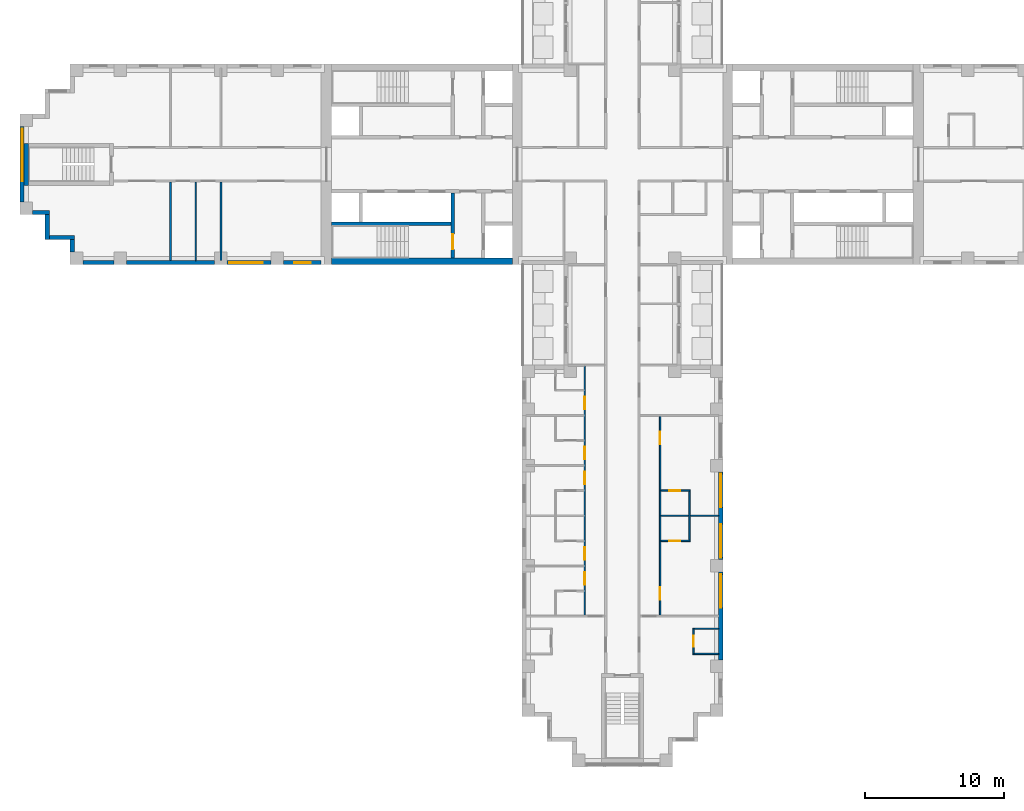
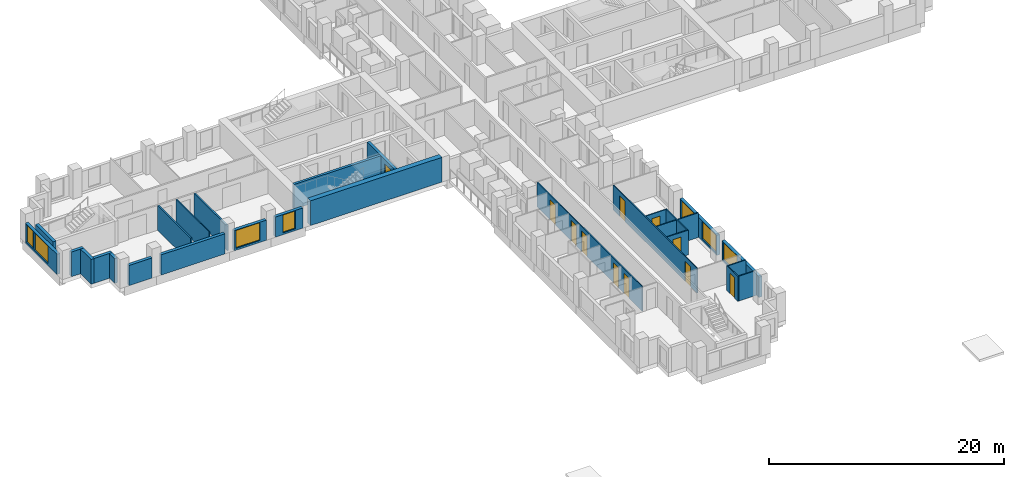
# One storey, part 4 of 15: 27 walls, 11 doors, 7 windows, 18 openings.
"""IFC4 building model written with IfcOpenShell, lengths in metres."""

from ifc_helpers import new_model, si_unit, direction, frame, frame_2d, origin, place, context, subcontext, project, spatial, rectangle, extrude, material, layer, layer_set, type_object, element, fill, save


model = new_model("IFC4")

# Units and contexts
model_context = context("Model", 3, precision=1e-05, world=origin(), true_north=direction((0.0, 1.0)))
body_context = subcontext(model_context, "Body", "Model", "MODEL_VIEW")
ifc_project = project(units=[si_unit("LENGTHUNIT", "METRE"), si_unit("AREAUNIT", "SQUARE_METRE"), si_unit("VOLUMEUNIT", "CUBIC_METRE"), si_unit("PLANEANGLEUNIT", "RADIAN"), si_unit("MASSUNIT", "GRAM", prefix="KILO")], contexts=[model_context])

# Site, building, storey
site_placement = place(None, origin())
site = spatial("IfcSite", under=ifc_project, at=site_placement, CompositionType="ELEMENT")
building_placement = place(site_placement, origin())
building = spatial("IfcBuilding", under=site, at=building_placement, Name="Fustian Cross Tower", CompositionType="ELEMENT")
storey_placement = place(building_placement, frame((0.0, 0.0, 11.699951171875)))
storey = spatial("IfcBuildingStorey", under=building, at=storey_placement, Name="L02", CompositionType="ELEMENT", Elevation=11.699951171875)

# Walls
ifc_material_1 = material(Name="Plasterboard on steel stud", Category="steel")
ifc_layer_1 = layer(ifc_material_1, 0.14990234375)
ifc_layer_set_1 = layer_set([ifc_layer_1], Name="Plasterboard on steel stud")
wall_type_1 = type_object("IfcWallType", Name="COMPARTMENT WALL 150 EI 60", PredefinedType="PARTITIONING", material=ifc_layer_set_1)
for number, where, z_axis, x_axis, name in (
    (1, (-32.39990234375, -6.89990234375, 0.0), (0.0, 0.0, 1.0), (0.0, 1.0, 0.0), "Partition 3"),
    (2, (-28.800048828125, -6.89990234375, 0.0), (0.0, 0.0, 1.0), (0.0, 1.0, 0.0), "Partition 6"),
):
    element("IfcWall", number, at=place(storey_placement, frame(where, z_axis=z_axis, x_axis=x_axis)), inside=storey, type_object=wall_type_1, Name=name, PredefinedType="PARTITIONING", context=body_context, shape_type="SweptSolid", body=[
        extrude(rectangle(XDim=5.625, YDim=0.14990234375, at=frame_2d((2.8125, 0.0))), origin(), (0.0, 0.0, 1.0), 2.574951171875),
    ])
ifc_material_2 = material(Name="Concrete C80/95", Category="concrete")
ifc_layer_2 = layer(ifc_material_2, 0.5)
ifc_layer_set_2 = layer_set([ifc_layer_2], Name="Concrete C80/95")
wall_type_2 = type_object("IfcWallType", Name="CORE FACADE WALL 500 C80/95", PredefinedType="SHEAR", material=ifc_layer_set_2)
wall_1_placement = place(storey_placement, frame((-7.89990234375, -6.949951171875, 0.0), z_axis=(0.0, 0.0, 1.0), x_axis=(-1.0, 0.0, 0.0)))
element("IfcWall", 3, at=wall_1_placement, inside=storey, type_object=wall_type_2, Name="Core facade wall", PredefinedType="SHEAR", context=body_context, shape_type="SweptSolid", body=[
    extrude(rectangle(XDim=12.9501953125, YDim=0.5, at=frame_2d((6.47509765625, 0.0))), origin(), (0.0, 0.0, 1.0), 2.574951171875),
])
ifc_material_3 = material(Name="Concrete C50/60", Category="concrete")
ifc_layer_3 = layer(ifc_material_3, 0.25)
ifc_layer_set_3 = layer_set([ifc_layer_3], Name="Concrete C50/60")
wall_type_3 = type_object("IfcWallType", Name="CORE SHAFT WALL 250 C50/60", PredefinedType="SHEAR", material=ifc_layer_set_3)
wall_2_placement = place(storey_placement, frame((-12.300048828125, -4.27490234375, 0.0), z_axis=(0.0, 0.0, 1.0), x_axis=(-1.0, 0.0, 0.0)))
element("IfcWall", 4, at=wall_2_placement, inside=storey, type_object=wall_type_3, Name="Core shaft wall", PredefinedType="SHEAR", context=body_context, shape_type="SweptSolid", body=[
    extrude(rectangle(XDim=8.550048828125, YDim=0.25, at=frame_2d((4.27490234375, 0.0))), origin(), (0.0, 0.0, 1.0), 2.574951171875),
])

# Wall, opening, door
wall_3_placement = place(storey_placement, frame((-12.175048828125, -2.050048828125, 0.0), z_axis=(0.0, 0.0, 1.0), x_axis=(0.0, -1.0, 0.0)))
wall_3 = element("IfcWall", 5, at=wall_3_placement, inside=storey, type_object=wall_type_3, Name="Core shaft wall", PredefinedType="SHEAR", context=body_context, shape_type="SweptSolid", body=[
    extrude(rectangle(XDim=4.64990234375, YDim=0.25, at=frame_2d((2.324951171875, 0.0))), origin(), (0.0, 0.0, 1.0), 2.574951171875),
])
opening_1_placement = place(wall_3_placement, frame((2.949951171875, 0.0, 0.0)))
opening_1 = element("IfcOpeningElement", 6, at=opening_1_placement, cuts=wall_3, Name="Opening CD-04-21", PredefinedType="OPENING", context=body_context, shape_type="SweptSolid", body=[
    extrude(rectangle(XDim=1.10009765625, YDim=2.10009765625, at=frame_2d((0.550048828125, 1.050048828125))), frame((0.0, 0.135009765625, 0.0), z_axis=(0.0, -1.0, 0.0), x_axis=(1.0, 0.0, 0.0)), (0.0, 0.0, 1.0), 0.27001953125),
])
ifc_material_4 = material(Name="Steel", Category="steel")
door_type_1 = type_object("IfcDoorType", Name="FIRE DOOR FD60S 1100X2100", OperationType="SINGLE_SWING_LEFT", PredefinedType="DOOR", material=ifc_material_4)
door_1_placement = place(opening_1_placement, frame((1.10009765625, 0.0, 0.0), z_axis=(0.0, 0.0, 1.0), x_axis=(-1.0, 0.0, 0.0)))
door_1 = element("IfcDoor", 7, at=door_1_placement, inside=storey, type_object=door_type_1, Name="Core door CD-04-21", OperationType="SINGLE_SWING_RIGHT", OverallHeight=2.10009765625, OverallWidth=1.10009765625, PredefinedType="DOOR", context=body_context, shape_type="SweptSolid", body=[
    extrude(rectangle(XDim=1.10009765625, YDim=2.10009765625, at=frame_2d((0.550048828125, 1.050048828125))), frame((0.0, 0.02490234375, 0.0), z_axis=(0.0, -1.0, 0.0), x_axis=(1.0, 0.0, 0.0)), (0.0, 0.0, 1.0), 0.050048828125),
])
fill(opening_1, door_1)

# Wall
ifc_material_5 = material(Name="Plasterboard on steel stud", Category="steel")
ifc_layer_4 = layer(ifc_material_5, 0.10009765625)
ifc_layer_set_4 = layer_set([ifc_layer_4], Name="Plasterboard on steel stud")
wall_type_4 = type_object("IfcWallType", Name="PARTITION 100 STUD", PredefinedType="PARTITIONING", material=ifc_layer_set_4)
wall_4_placement = place(storey_placement, frame((-30.60009765625, -6.89990234375, 0.0), z_axis=(0.0, 0.0, 1.0), x_axis=(0.0, 1.0, 0.0)))
element("IfcWall", 8, at=wall_4_placement, inside=storey, type_object=wall_type_4, Name="Partition 5", PredefinedType="PARTITIONING", context=body_context, shape_type="SweptSolid", body=[
    extrude(rectangle(XDim=5.625, YDim=0.10009765625, at=frame_2d((2.8125, 0.0))), origin(), (0.0, 0.0, 1.0), 2.574951171875),
])

# Wall, openings, doors
wall_5_placement = place(storey_placement, frame((-2.699951171875, -32.35009765625, 0.0), z_axis=(0.0, 0.0, 1.0), x_axis=(0.0, 1.0, 0.0)))
wall_5 = element("IfcWall", 9, at=wall_5_placement, inside=storey, type_object=wall_type_4, Name="Partition 50", PredefinedType="PARTITIONING", context=body_context, shape_type="SweptSolid", body=[
    extrude(rectangle(XDim=17.8876953125, YDim=0.10009765625, at=frame_2d((8.94384765625, 0.0))), origin(), (0.0, 0.0, 1.0), 2.574951171875),
])
opening_2_placement = place(wall_5_placement, frame((2.199951171875, 0.0, 0.0)))
opening_2 = element("IfcOpeningElement", 10, at=opening_2_placement, cuts=wall_5, Name="Opening D04068", PredefinedType="OPENING", context=body_context, shape_type="SweptSolid", body=[
    extrude(rectangle(XDim=0.89990234375, YDim=2.10009765625, at=frame_2d((0.449951171875, 1.050048828125))), frame((0.0, 0.06005859375, 0.0), z_axis=(0.0, -1.0, 0.0), x_axis=(1.0, 0.0, 0.0)), (0.0, 0.0, 1.0), 0.1201171875),
])
opening_3_placement = place(wall_5_placement, frame((4.0, 0.0, 0.0)))
opening_3 = element("IfcOpeningElement", 11, at=opening_3_placement, cuts=wall_5, Name="Opening D04069", PredefinedType="OPENING", context=body_context, shape_type="SweptSolid", body=[
    extrude(rectangle(XDim=0.89990234375, YDim=2.10009765625, at=frame_2d((0.449951171875, 1.050048828125))), frame((0.0, 0.06005859375, 0.0), z_axis=(0.0, -1.0, 0.0), x_axis=(1.0, 0.0, 0.0)), (0.0, 0.0, 1.0), 0.1201171875),
])
opening_4_placement = place(wall_5_placement, frame((9.39990234375, 0.0, 0.0)))
opening_4 = element("IfcOpeningElement", 12, at=opening_4_placement, cuts=wall_5, Name="Opening D04070", PredefinedType="OPENING", context=body_context, shape_type="SweptSolid", body=[
    extrude(rectangle(XDim=0.89990234375, YDim=2.10009765625, at=frame_2d((0.449951171875, 1.050048828125))), frame((0.0, 0.06005859375, 0.0), z_axis=(0.0, -1.0, 0.0), x_axis=(1.0, 0.0, 0.0)), (0.0, 0.0, 1.0), 0.1201171875),
])
opening_5_placement = place(wall_5_placement, frame((11.199951171875, 0.0, 0.0)))
opening_5 = element("IfcOpeningElement", 13, at=opening_5_placement, cuts=wall_5, Name="Opening D04071", PredefinedType="OPENING", context=body_context, shape_type="SweptSolid", body=[
    extrude(rectangle(XDim=0.89990234375, YDim=2.10009765625, at=frame_2d((0.449951171875, 1.050048828125))), frame((0.0, 0.06005859375, 0.0), z_axis=(0.0, -1.0, 0.0), x_axis=(1.0, 0.0, 0.0)), (0.0, 0.0, 1.0), 0.1201171875),
])
opening_6_placement = place(wall_5_placement, frame((14.800048828125, 0.0, 0.0)))
opening_6 = element("IfcOpeningElement", 14, at=opening_6_placement, cuts=wall_5, Name="Opening D04072", PredefinedType="OPENING", context=body_context, shape_type="SweptSolid", body=[
    extrude(rectangle(XDim=0.89990234375, YDim=2.10009765625, at=frame_2d((0.449951171875, 1.050048828125))), frame((0.0, 0.06005859375, 0.0), z_axis=(0.0, -1.0, 0.0), x_axis=(1.0, 0.0, 0.0)), (0.0, 0.0, 1.0), 0.1201171875),
])
ifc_material_6 = material(Name="Painted timber", Category="wood")
door_type_2 = type_object("IfcDoorType", Name="SWING DOOR 900", OperationType="SINGLE_SWING_LEFT", PredefinedType="DOOR", material=ifc_material_6)
door_2_placement = place(opening_2_placement, origin())
door_2 = element("IfcDoor", 15, at=door_2_placement, inside=storey, type_object=door_type_2, Name="Door D04068", OperationType="SINGLE_SWING_LEFT", OverallHeight=2.10009765625, OverallWidth=0.89990234375, PredefinedType="DOOR", context=body_context, shape_type="SweptSolid", body=[
    extrude(rectangle(XDim=0.89990234375, YDim=2.10009765625, at=frame_2d((0.449951171875, 1.050048828125))), frame((0.0, 0.02490234375, 0.0), z_axis=(0.0, -1.0, 0.0), x_axis=(1.0, 0.0, 0.0)), (0.0, 0.0, 1.0), 0.050048828125),
])
fill(opening_2, door_2)
door_3_placement = place(opening_3_placement, origin())
door_3 = element("IfcDoor", 16, at=door_3_placement, inside=storey, type_object=door_type_2, Name="Door D04069", OperationType="SINGLE_SWING_LEFT", OverallHeight=2.10009765625, OverallWidth=0.89990234375, PredefinedType="DOOR", context=body_context, shape_type="SweptSolid", body=[
    extrude(rectangle(XDim=0.89990234375, YDim=2.10009765625, at=frame_2d((0.449951171875, 1.050048828125))), frame((0.0, 0.02490234375, 0.0), z_axis=(0.0, -1.0, 0.0), x_axis=(1.0, 0.0, 0.0)), (0.0, 0.0, 1.0), 0.050048828125),
])
fill(opening_3, door_3)
door_4_placement = place(opening_4_placement, origin())
door_4 = element("IfcDoor", 17, at=door_4_placement, inside=storey, type_object=door_type_2, Name="Door D04070", OperationType="SINGLE_SWING_LEFT", OverallHeight=2.10009765625, OverallWidth=0.89990234375, PredefinedType="DOOR", context=body_context, shape_type="SweptSolid", body=[
    extrude(rectangle(XDim=0.89990234375, YDim=2.10009765625, at=frame_2d((0.449951171875, 1.050048828125))), frame((0.0, 0.02490234375, 0.0), z_axis=(0.0, -1.0, 0.0), x_axis=(1.0, 0.0, 0.0)), (0.0, 0.0, 1.0), 0.050048828125),
])
fill(opening_4, door_4)
door_5_placement = place(opening_5_placement, origin())
door_5 = element("IfcDoor", 18, at=door_5_placement, inside=storey, type_object=door_type_2, Name="Door D04071", OperationType="SINGLE_SWING_LEFT", OverallHeight=2.10009765625, OverallWidth=0.89990234375, PredefinedType="DOOR", context=body_context, shape_type="SweptSolid", body=[
    extrude(rectangle(XDim=0.89990234375, YDim=2.10009765625, at=frame_2d((0.449951171875, 1.050048828125))), frame((0.0, 0.02490234375, 0.0), z_axis=(0.0, -1.0, 0.0), x_axis=(1.0, 0.0, 0.0)), (0.0, 0.0, 1.0), 0.050048828125),
])
fill(opening_5, door_5)
door_6_placement = place(opening_6_placement, origin())
door_6 = element("IfcDoor", 19, at=door_6_placement, inside=storey, type_object=door_type_2, Name="Door D04072", OperationType="SINGLE_SWING_LEFT", OverallHeight=2.10009765625, OverallWidth=0.89990234375, PredefinedType="DOOR", context=body_context, shape_type="SweptSolid", body=[
    extrude(rectangle(XDim=0.89990234375, YDim=2.10009765625, at=frame_2d((0.449951171875, 1.050048828125))), frame((0.0, 0.02490234375, 0.0), z_axis=(0.0, -1.0, 0.0), x_axis=(1.0, 0.0, 0.0)), (0.0, 0.0, 1.0), 0.050048828125),
])
fill(opening_6, door_6)

wall_6_placement = place(storey_placement, frame((2.699951171875, -32.35009765625, 0.0), z_axis=(0.0, 0.0, 1.0), x_axis=(0.0, 1.0, 0.0)))
wall_6 = element("IfcWall", 20, at=wall_6_placement, inside=storey, type_object=wall_type_4, Name="Partition 70", PredefinedType="PARTITIONING", context=body_context, shape_type="SweptSolid", body=[
    extrude(rectangle(XDim=14.300048828125, YDim=0.10009765625, at=frame_2d((7.14990234375, 0.0))), origin(), (0.0, 0.0, 1.0), 2.574951171875),
])
opening_7_placement = place(wall_6_placement, frame((1.1201171875, 0.0, 0.0)))
opening_7 = element("IfcOpeningElement", 21, at=opening_7_placement, cuts=wall_6, Name="Opening D04061", PredefinedType="OPENING", context=body_context, shape_type="SweptSolid", body=[
    extrude(rectangle(XDim=0.89990234375, YDim=2.10009765625, at=frame_2d((0.449951171875, 1.050048828125))), frame((0.0, 0.06005859375, 0.0), z_axis=(0.0, -1.0, 0.0), x_axis=(1.0, 0.0, 0.0)), (0.0, 0.0, 1.0), 0.1201171875),
])
opening_8_placement = place(wall_6_placement, frame((12.280029296875, 0.0, 0.0)))
opening_8 = element("IfcOpeningElement", 22, at=opening_8_placement, cuts=wall_6, Name="Opening D04062", PredefinedType="OPENING", context=body_context, shape_type="SweptSolid", body=[
    extrude(rectangle(XDim=0.89990234375, YDim=2.10009765625, at=frame_2d((0.449951171875, 1.050048828125))), frame((0.0, 0.06005859375, 0.0), z_axis=(0.0, -1.0, 0.0), x_axis=(1.0, 0.0, 0.0)), (0.0, 0.0, 1.0), 0.1201171875),
])
door_7_placement = place(opening_7_placement, origin())
door_7 = element("IfcDoor", 23, at=door_7_placement, inside=storey, type_object=door_type_2, Name="Door D04061", OperationType="SINGLE_SWING_LEFT", OverallHeight=2.10009765625, OverallWidth=0.89990234375, PredefinedType="DOOR", context=body_context, shape_type="SweptSolid", body=[
    extrude(rectangle(XDim=0.89990234375, YDim=2.10009765625, at=frame_2d((0.449951171875, 1.050048828125))), frame((0.0, 0.02490234375, 0.0), z_axis=(0.0, -1.0, 0.0), x_axis=(1.0, 0.0, 0.0)), (0.0, 0.0, 1.0), 0.050048828125),
])
fill(opening_7, door_7)
door_8_placement = place(opening_8_placement, origin())
door_8 = element("IfcDoor", 24, at=door_8_placement, inside=storey, type_object=door_type_2, Name="Door D04062", OperationType="SINGLE_SWING_RIGHT", OverallHeight=2.10009765625, OverallWidth=0.89990234375, PredefinedType="DOOR", context=body_context, shape_type="SweptSolid", body=[
    extrude(rectangle(XDim=0.89990234375, YDim=2.10009765625, at=frame_2d((0.449951171875, 1.050048828125))), frame((0.0, 0.02490234375, 0.0), z_axis=(0.0, -1.0, 0.0), x_axis=(1.0, 0.0, 0.0)), (0.0, 0.0, 1.0), 0.050048828125),
])
fill(opening_8, door_8)

# Wall, opening, door
wall_7_placement = place(storey_placement, frame((2.75, -27.0, 0.0), z_axis=(0.0, 0.0, 1.0), x_axis=(1.0, 0.0, 0.0)))
wall_7 = element("IfcWall", 25, at=wall_7_placement, inside=storey, type_object=wall_type_4, Name="Partition 71", PredefinedType="PARTITIONING", context=body_context, shape_type="SweptSolid", body=[
    extrude(rectangle(XDim=2.10009765625, YDim=0.10009765625, at=frame_2d((1.050048828125, 0.0))), origin(), (0.0, 0.0, 1.0), 2.574951171875),
])
opening_9_placement = place(wall_7_placement, frame((0.60009765625, 0.0, 0.0)))
opening_9 = element("IfcOpeningElement", 26, at=opening_9_placement, cuts=wall_7, Name="Opening D04064", PredefinedType="OPENING", context=body_context, shape_type="SweptSolid", body=[
    extrude(rectangle(XDim=0.800048828125, YDim=2.10009765625, at=frame_2d((0.39990234375, 1.050048828125))), frame((0.0, 0.06005859375, 0.0), z_axis=(0.0, -1.0, 0.0), x_axis=(1.0, 0.0, 0.0)), (0.0, 0.0, 1.0), 0.1201171875),
])
ifc_material_7 = material(Name="Painted timber", Category="wood")
door_type_3 = type_object("IfcDoorType", Name="SWING DOOR 800", OperationType="SINGLE_SWING_LEFT", PredefinedType="DOOR", material=ifc_material_7)
door_9_placement = place(opening_9_placement, origin())
door_9 = element("IfcDoor", 27, at=door_9_placement, inside=storey, type_object=door_type_3, Name="Door D04064", OperationType="SINGLE_SWING_LEFT", OverallHeight=2.10009765625, OverallWidth=0.800048828125, PredefinedType="DOOR", context=body_context, shape_type="SweptSolid", body=[
    extrude(rectangle(XDim=0.800048828125, YDim=2.10009765625, at=frame_2d((0.39990234375, 1.050048828125))), frame((0.0, 0.02490234375, 0.0), z_axis=(0.0, -1.0, 0.0), x_axis=(1.0, 0.0, 0.0)), (0.0, 0.0, 1.0), 0.050048828125),
])
fill(opening_9, door_9)

# Wall
wall_8_placement = place(storey_placement, frame((2.75, -25.199951171875, 0.0), z_axis=(0.0, 0.0, 1.0), x_axis=(1.0, 0.0, 0.0)))
element("IfcWall", 28, at=wall_8_placement, inside=storey, type_object=wall_type_4, Name="Partition 72", PredefinedType="PARTITIONING", context=body_context, shape_type="SweptSolid", body=[
    extrude(rectangle(XDim=4.14990234375, YDim=0.10009765625, at=frame_2d((2.074951171875, 0.0))), origin(), (0.0, 0.0, 1.0), 2.574951171875),
])

# Wall, opening, door
wall_9_placement = place(storey_placement, frame((2.75, -23.39990234375, 0.0), z_axis=(0.0, 0.0, 1.0), x_axis=(1.0, 0.0, 0.0)))
wall_9 = element("IfcWall", 29, at=wall_9_placement, inside=storey, type_object=wall_type_4, Name="Partition 73", PredefinedType="PARTITIONING", context=body_context, shape_type="SweptSolid", body=[
    extrude(rectangle(XDim=2.10009765625, YDim=0.10009765625, at=frame_2d((1.050048828125, 0.0))), origin(), (0.0, 0.0, 1.0), 2.574951171875),
])
opening_10_placement = place(wall_9_placement, frame((0.60009765625, 0.0, 0.0)))
opening_10 = element("IfcOpeningElement", 30, at=opening_10_placement, cuts=wall_9, Name="Opening D04063", PredefinedType="OPENING", context=body_context, shape_type="SweptSolid", body=[
    extrude(rectangle(XDim=0.800048828125, YDim=2.10009765625, at=frame_2d((0.39990234375, 1.050048828125))), frame((0.0, 0.06005859375, 0.0), z_axis=(0.0, -1.0, 0.0), x_axis=(1.0, 0.0, 0.0)), (0.0, 0.0, 1.0), 0.1201171875),
])
door_10_placement = place(opening_10_placement, frame((0.800048828125, 0.0, 0.0), z_axis=(0.0, 0.0, 1.0), x_axis=(-1.0, 0.0, 0.0)))
door_10 = element("IfcDoor", 31, at=door_10_placement, inside=storey, type_object=door_type_3, Name="Door D04063", OperationType="SINGLE_SWING_RIGHT", OverallHeight=2.10009765625, OverallWidth=0.800048828125, PredefinedType="DOOR", context=body_context, shape_type="SweptSolid", body=[
    extrude(rectangle(XDim=0.800048828125, YDim=2.10009765625, at=frame_2d((0.39990234375, 1.050048828125))), frame((0.0, 0.02490234375, 0.0), z_axis=(0.0, -1.0, 0.0), x_axis=(1.0, 0.0, 0.0)), (0.0, 0.0, 1.0), 0.050048828125),
])
fill(opening_10, door_10)

# Wall
wall_10_placement = place(storey_placement, frame((4.800048828125, -26.949951171875, 0.0), z_axis=(0.0, 0.0, 1.0), x_axis=(0.0, 1.0, 0.0)))
element("IfcWall", 32, at=wall_10_placement, inside=storey, type_object=wall_type_4, Name="Partition 87", PredefinedType="PARTITIONING", context=body_context, shape_type="SweptSolid", body=[
    extrude(rectangle(XDim=3.5, YDim=0.10009765625, at=frame_2d((1.75, 0.0))), origin(), (0.0, 0.0, 1.0), 2.574951171875),
])

# Wall, opening, door
wall_11_placement = place(storey_placement, frame((5.10009765625, -35.14990234375, 0.0), z_axis=(0.0, 0.0, 1.0), x_axis=(0.0, 1.0, 0.0)))
wall_11 = element("IfcWall", 33, at=wall_11_placement, inside=storey, type_object=wall_type_4, Name="Partition 92", PredefinedType="PARTITIONING", context=body_context, shape_type="SweptSolid", body=[
    extrude(rectangle(XDim=1.89990234375, YDim=0.10009765625, at=frame_2d((0.949951171875, 0.0))), origin(), (0.0, 0.0, 1.0), 2.574951171875),
])
opening_11_placement = place(wall_11_placement, frame((0.550048828125, 0.0, 0.0)))
opening_11 = element("IfcOpeningElement", 34, at=opening_11_placement, cuts=wall_11, Name="Opening D04058", PredefinedType="OPENING", context=body_context, shape_type="SweptSolid", body=[
    extrude(rectangle(XDim=0.800048828125, YDim=2.10009765625, at=frame_2d((0.39990234375, 1.050048828125))), frame((0.0, 0.06005859375, 0.0), z_axis=(0.0, -1.0, 0.0), x_axis=(1.0, 0.0, 0.0)), (0.0, 0.0, 1.0), 0.1201171875),
])
door_11_placement = place(opening_11_placement, frame((0.800048828125, 0.0, 0.0), z_axis=(0.0, 0.0, 1.0), x_axis=(-1.0, 0.0, 0.0)))
door_11 = element("IfcDoor", 35, at=door_11_placement, inside=storey, type_object=door_type_3, Name="Door D04058", OperationType="SINGLE_SWING_LEFT", OverallHeight=2.10009765625, OverallWidth=0.800048828125, PredefinedType="DOOR", context=body_context, shape_type="SweptSolid", body=[
    extrude(rectangle(XDim=0.800048828125, YDim=2.10009765625, at=frame_2d((0.39990234375, 1.050048828125))), frame((0.0, 0.02490234375, 0.0), z_axis=(0.0, -1.0, 0.0), x_axis=(1.0, 0.0, 0.0)), (0.0, 0.0, 1.0), 0.050048828125),
])
fill(opening_11, door_11)

# Walls
for number, where, z_axis, x_axis, name in (
    (36, (5.14990234375, -35.10009765625, 0.0), (0.0, 0.0, 1.0), (1.0, 0.0, 0.0), "Partition 93"),
    (37, (5.14990234375, -33.300048828125, 0.0), (0.0, 0.0, 1.0), (1.0, 0.0, 0.0), "Partition 94"),
):
    element("IfcWall", number, at=place(storey_placement, frame(where, z_axis=z_axis, x_axis=x_axis)), inside=storey, type_object=wall_type_4, Name=name, PredefinedType="PARTITIONING", context=body_context, shape_type="SweptSolid", body=[
        extrude(rectangle(XDim=1.75, YDim=0.10009765625, at=frame_2d((0.875, 0.0))), origin(), (0.0, 0.0, 1.0), 2.574951171875),
    ])
ifc_material_8 = material(Name="Concrete C50/60", Category="concrete")
ifc_layer_5 = layer(ifc_material_8, 0.300048828125)
ifc_layer_set_5 = layer_set([ifc_layer_5], Name="Concrete C50/60")
wall_type_5 = type_object("IfcWallType", Name="STAIR ENCLOSURE WALL 300 C50/60", PredefinedType="SHEAR", material=ifc_layer_set_5)
wall_12_placement = place(storey_placement, frame((-42.75, -1.5, 0.0), z_axis=(0.0, 0.0, 1.0), x_axis=(0.0, 1.0, 0.0)))
element("IfcWall", 38, at=wall_12_placement, inside=storey, type_object=wall_type_5, Name="Stair enclosure wall", PredefinedType="SHEAR", context=body_context, shape_type="SweptSolid", body=[
    extrude(rectangle(XDim=3.0, YDim=0.300048828125, at=frame_2d((1.5, 0.0))), origin(), (0.0, 0.0, 1.0), 2.574951171875),
])

# Wall, openings, windows
ifc_material_9 = material(Name="Dark aluminium cladding on insulated backing wall", Category="aluminium")
ifc_layer_6 = layer(ifc_material_9, 0.300048828125)
ifc_layer_set_6 = layer_set([ifc_layer_6], Name="Dark aluminium cladding on insulated backing wall")
wall_type_6 = type_object("IfcWallType", Name="XW1 EXTERNAL WALL 300", PredefinedType="SOLIDWALL", material=ifc_layer_set_6)
wall_13_placement = place(storey_placement, frame((-43.050048828125, 2.699951171875, 0.0), z_axis=(0.0, 0.0, 1.0), x_axis=(0.0, -1.0, 0.0)))
wall_13 = element("IfcWall", 39, at=wall_13_placement, inside=storey, type_object=wall_type_6, Name="External wall", PredefinedType="SOLIDWALL", context=body_context, shape_type="SweptSolid", body=[
    extrude(rectangle(XDim=5.39990234375, YDim=0.300048828125, at=frame_2d((2.699951171875, 0.0))), origin(), (0.0, 0.0, 1.0), 2.10009765625),
])
opening_12_placement = place(wall_13_placement, frame((1.5, 0.0, 0.199951171875)))
opening_12 = element("IfcOpeningElement", 40, at=opening_12_placement, cuts=wall_13, Name="Opening WN1", PredefinedType="OPENING", context=body_context, shape_type="SweptSolid", body=[
    extrude(rectangle(XDim=2.39990234375, YDim=1.85009765625, at=frame_2d((1.199951171875, 0.925048828125))), frame((0.0, 0.159912109375, 0.0), z_axis=(0.0, -1.0, 0.0), x_axis=(1.0, 0.0, 0.0)), (0.0, 0.0, 1.0), 0.320068359375),
])
opening_13_placement = place(wall_13_placement, frame((0.14990234375, 0.0, 0.199951171875)))
opening_13 = element("IfcOpeningElement", 41, at=opening_13_placement, cuts=wall_13, Name="Opening WN3", PredefinedType="OPENING", context=body_context, shape_type="SweptSolid", body=[
    extrude(rectangle(XDim=1.199951171875, YDim=1.85009765625, at=frame_2d((0.60009765625, 0.925048828125))), frame((0.0, 0.159912109375, 0.0), z_axis=(0.0, -1.0, 0.0), x_axis=(1.0, 0.0, 0.0)), (0.0, 0.0, 1.0), 0.320068359375),
])
ifc_material_10 = material(Name="Dark anodised aluminium and double glazing", Category="aluminium")
window_type_1 = type_object("IfcWindowType", Name="WN1 WINDOW 2400X1850", PartitioningType="SINGLE_PANEL", PredefinedType="WINDOW", material=ifc_material_10)
window_1_placement = place(opening_12_placement, origin())
window_1 = element("IfcWindow", 42, at=window_1_placement, inside=storey, type_object=window_type_1, Name="Window", OverallHeight=1.85009765625, OverallWidth=2.39990234375, PartitioningType="SINGLE_PANEL", PredefinedType="WINDOW", context=body_context, shape_type="SweptSolid", body=[
    extrude(rectangle(XDim=2.39990234375, YDim=1.85009765625, at=frame_2d((1.199951171875, 0.925048828125))), frame((0.0, 0.030029296875, 0.0), z_axis=(0.0, -1.0, 0.0), x_axis=(1.0, 0.0, 0.0)), (0.0, 0.0, 1.0), 0.06005859375),
])
fill(opening_12, window_1)
ifc_material_11 = material(Name="Dark anodised aluminium and double glazing", Category="aluminium")
window_type_2 = type_object("IfcWindowType", Name="WN3 WINDOW 1200X1850", PartitioningType="SINGLE_PANEL", PredefinedType="WINDOW", material=ifc_material_11)
window_2_placement = place(opening_13_placement, origin())
window_2 = element("IfcWindow", 43, at=window_2_placement, inside=storey, type_object=window_type_2, Name="Window", OverallHeight=1.85009765625, OverallWidth=1.199951171875, PartitioningType="SINGLE_PANEL", PredefinedType="WINDOW", context=body_context, shape_type="SweptSolid", body=[
    extrude(rectangle(XDim=1.199951171875, YDim=1.85009765625, at=frame_2d((0.60009765625, 0.925048828125))), frame((0.0, 0.030029296875, 0.0), z_axis=(0.0, -1.0, 0.0), x_axis=(1.0, 0.0, 0.0)), (0.0, 0.0, 1.0), 0.06005859375),
])
fill(opening_13, window_2)

# Walls
wall_14_placement = place(storey_placement, frame((-42.300048828125, -3.449951171875, 0.0), z_axis=(0.0, 0.0, 1.0), x_axis=(1.0, 0.0, 0.0)))
element("IfcWall", 44, at=wall_14_placement, inside=storey, type_object=wall_type_6, Name="External wall", PredefinedType="SOLIDWALL", context=body_context, shape_type="SweptSolid", body=[
    extrude(rectangle(XDim=1.199951171875, YDim=0.300048828125, at=frame_2d((0.60009765625, 0.0))), origin(), (0.0, 0.0, 1.0), 2.574951171875),
])
wall_15_placement = place(storey_placement, frame((-41.25, -3.60009765625, 0.0), z_axis=(0.0, 0.0, 1.0), x_axis=(0.0, -1.0, 0.0)))
element("IfcWall", 45, at=wall_15_placement, inside=storey, type_object=wall_type_6, Name="External wall", PredefinedType="SOLIDWALL", context=body_context, shape_type="SweptSolid", body=[
    extrude(rectangle(XDim=1.7998046875, YDim=0.300048828125, at=frame_2d((0.89990234375, 0.0))), origin(), (0.0, 0.0, 1.0), 2.574951171875),
])
wall_16_placement = place(storey_placement, frame((-41.10009765625, -5.25, 0.0), z_axis=(0.0, 0.0, 1.0), x_axis=(1.0, 0.0, 0.0)))
element("IfcWall", 46, at=wall_16_placement, inside=storey, type_object=wall_type_6, Name="External wall", PredefinedType="SOLIDWALL", context=body_context, shape_type="SweptSolid", body=[
    extrude(rectangle(XDim=1.800048828125, YDim=0.300048828125, at=frame_2d((0.89990234375, 0.0))), origin(), (0.0, 0.0, 1.0), 2.574951171875),
])
wall_17_placement = place(storey_placement, frame((-39.449951171875, -5.39990234375, 0.0), z_axis=(0.0, 0.0, 1.0), x_axis=(0.0, -1.0, 0.0)))
element("IfcWall", 47, at=wall_17_placement, inside=storey, type_object=wall_type_6, Name="External wall", PredefinedType="SOLIDWALL", context=body_context, shape_type="SweptSolid", body=[
    extrude(rectangle(XDim=0.900146484375, YDim=0.300048828125, at=frame_2d((0.4501953125, 0.0))), origin(), (0.0, 0.0, 1.0), 2.574951171875),
])
wall_18_placement = place(storey_placement, frame((-38.699951171875, -7.050048828125, 0.0), z_axis=(0.0, 0.0, 1.0), x_axis=(1.0, 0.0, 0.0)))
element("IfcWall", 48, at=wall_18_placement, inside=storey, type_object=wall_type_6, Name="External wall", PredefinedType="SOLIDWALL", context=body_context, shape_type="SweptSolid", body=[
    extrude(rectangle(XDim=2.25, YDim=0.300048828125, at=frame_2d((1.125, 0.0))), origin(), (0.0, 0.0, 1.0), 2.10009765625),
])
wall_19_placement = place(storey_placement, frame((-35.550048828125, -7.050048828125, 0.0), z_axis=(0.0, 0.0, 1.0), x_axis=(1.0, 0.0, 0.0)))
element("IfcWall", 49, at=wall_19_placement, inside=storey, type_object=wall_type_6, Name="External wall", PredefinedType="SOLIDWALL", context=body_context, shape_type="SweptSolid", body=[
    extrude(rectangle(XDim=6.300048828125, YDim=0.300048828125, at=frame_2d((3.14990234375, 0.0))), origin(), (0.0, 0.0, 1.0), 2.10009765625),
])

# Wall, opening, window
wall_20_placement = place(storey_placement, frame((-28.35009765625, -7.050048828125, 0.0), z_axis=(0.0, 0.0, 1.0), x_axis=(1.0, 0.0, 0.0)))
wall_20 = element("IfcWall", 50, at=wall_20_placement, inside=storey, type_object=wall_type_6, Name="External wall", PredefinedType="SOLIDWALL", context=body_context, shape_type="SweptSolid", body=[
    extrude(rectangle(XDim=3.150146484375, YDim=0.300048828125, at=frame_2d((1.5751953125, 0.0))), origin(), (0.0, 0.0, 1.0), 2.10009765625),
])
opening_14_placement = place(wall_20_placement, frame((0.14990234375, 0.0, 0.199951171875)))
opening_14 = element("IfcOpeningElement", 51, at=opening_14_placement, cuts=wall_20, Name="Opening WN1", PredefinedType="OPENING", context=body_context, shape_type="SweptSolid", body=[
    extrude(rectangle(XDim=2.39990234375, YDim=1.85009765625, at=frame_2d((1.199951171875, 0.925048828125))), frame((0.0, 0.159912109375, 0.0), z_axis=(0.0, -1.0, 0.0), x_axis=(1.0, 0.0, 0.0)), (0.0, 0.0, 1.0), 0.320068359375),
])
window_3_placement = place(opening_14_placement, origin())
window_3 = element("IfcWindow", 52, at=window_3_placement, inside=storey, type_object=window_type_1, Name="Window", OverallHeight=1.85009765625, OverallWidth=2.39990234375, PartitioningType="SINGLE_PANEL", PredefinedType="WINDOW", context=body_context, shape_type="SweptSolid", body=[
    extrude(rectangle(XDim=2.39990234375, YDim=1.85009765625, at=frame_2d((1.199951171875, 0.925048828125))), frame((0.0, 0.030029296875, 0.0), z_axis=(0.0, -1.0, 0.0), x_axis=(1.0, 0.0, 0.0)), (0.0, 0.0, 1.0), 0.06005859375),
])
fill(opening_14, window_3)

wall_21_placement = place(storey_placement, frame((-24.300048828125, -7.050048828125, 0.0), z_axis=(0.0, 0.0, 1.0), x_axis=(1.0, 0.0, 0.0)))
wall_21 = element("IfcWall", 53, at=wall_21_placement, inside=storey, type_object=wall_type_6, Name="External wall", PredefinedType="SOLIDWALL", context=body_context, shape_type="SweptSolid", body=[
    extrude(rectangle(XDim=2.699951171875, YDim=0.300048828125, at=frame_2d((1.35009765625, 0.0))), origin(), (0.0, 0.0, 1.0), 2.10009765625),
])
opening_15_placement = place(wall_21_placement, frame((0.75, 0.0, 0.199951171875)))
opening_15 = element("IfcOpeningElement", 54, at=opening_15_placement, cuts=wall_21, Name="Opening WN3", PredefinedType="OPENING", context=body_context, shape_type="SweptSolid", body=[
    extrude(rectangle(XDim=1.199951171875, YDim=1.85009765625, at=frame_2d((0.60009765625, 0.925048828125))), frame((0.0, 0.159912109375, 0.0), z_axis=(0.0, -1.0, 0.0), x_axis=(1.0, 0.0, 0.0)), (0.0, 0.0, 1.0), 0.320068359375),
])
window_4_placement = place(opening_15_placement, origin())
window_4 = element("IfcWindow", 55, at=window_4_placement, inside=storey, type_object=window_type_2, Name="Window", OverallHeight=1.85009765625, OverallWidth=1.199951171875, PartitioningType="SINGLE_PANEL", PredefinedType="WINDOW", context=body_context, shape_type="SweptSolid", body=[
    extrude(rectangle(XDim=1.199951171875, YDim=1.85009765625, at=frame_2d((0.60009765625, 0.925048828125))), frame((0.0, 0.030029296875, 0.0), z_axis=(0.0, -1.0, 0.0), x_axis=(1.0, 0.0, 0.0)), (0.0, 0.0, 1.0), 0.06005859375),
])
fill(opening_15, window_4)

wall_22_placement = place(storey_placement, frame((7.050048828125, -35.550048828125, 0.0), z_axis=(0.0, 0.0, 1.0), x_axis=(0.0, 1.0, 0.0)))
wall_22 = element("IfcWall", 56, at=wall_22_placement, inside=storey, type_object=wall_type_6, Name="External wall", PredefinedType="SOLIDWALL", context=body_context, shape_type="SweptSolid", body=[
    extrude(rectangle(XDim=6.300048828125, YDim=0.300048828125, at=frame_2d((3.14990234375, 0.0))), origin(), (0.0, 0.0, 1.0), 2.10009765625),
])
opening_16_placement = place(wall_22_placement, frame((3.75, 0.0, 0.199951171875)))
opening_16 = element("IfcOpeningElement", 57, at=opening_16_placement, cuts=wall_22, Name="Opening WN1", PredefinedType="OPENING", context=body_context, shape_type="SweptSolid", body=[
    extrude(rectangle(XDim=2.39990234375, YDim=1.85009765625, at=frame_2d((1.199951171875, 0.925048828125))), frame((0.0, 0.159912109375, 0.0), z_axis=(0.0, -1.0, 0.0), x_axis=(1.0, 0.0, 0.0)), (0.0, 0.0, 1.0), 0.320068359375),
])
window_5_placement = place(opening_16_placement, origin())
window_5 = element("IfcWindow", 58, at=window_5_placement, inside=storey, type_object=window_type_1, Name="Window", OverallHeight=1.85009765625, OverallWidth=2.39990234375, PartitioningType="SINGLE_PANEL", PredefinedType="WINDOW", context=body_context, shape_type="SweptSolid", body=[
    extrude(rectangle(XDim=2.39990234375, YDim=1.85009765625, at=frame_2d((1.199951171875, 0.925048828125))), frame((0.0, 0.030029296875, 0.0), z_axis=(0.0, -1.0, 0.0), x_axis=(1.0, 0.0, 0.0)), (0.0, 0.0, 1.0), 0.06005859375),
])
fill(opening_16, window_5)

# Wall, openings, windows
wall_23_placement = place(storey_placement, frame((7.050048828125, -28.35009765625, 0.0), z_axis=(0.0, 0.0, 1.0), x_axis=(0.0, 1.0, 0.0)))
wall_23 = element("IfcWall", 59, at=wall_23_placement, inside=storey, type_object=wall_type_6, Name="External wall", PredefinedType="SOLIDWALL", context=body_context, shape_type="SweptSolid", body=[
    extrude(rectangle(XDim=6.300048828125, YDim=0.300048828125, at=frame_2d((3.14990234375, 0.0))), origin(), (0.0, 0.0, 1.0), 2.10009765625),
])
opening_17_placement = place(wall_23_placement, frame((0.14990234375, 0.0, 0.199951171875)))
opening_17 = element("IfcOpeningElement", 60, at=opening_17_placement, cuts=wall_23, Name="Opening WN1", PredefinedType="OPENING", context=body_context, shape_type="SweptSolid", body=[
    extrude(rectangle(XDim=2.39990234375, YDim=1.85009765625, at=frame_2d((1.199951171875, 0.925048828125))), frame((0.0, 0.159912109375, 0.0), z_axis=(0.0, -1.0, 0.0), x_axis=(1.0, 0.0, 0.0)), (0.0, 0.0, 1.0), 0.320068359375),
])
opening_18_placement = place(wall_23_placement, frame((3.75, 0.0, 0.199951171875)))
opening_18 = element("IfcOpeningElement", 61, at=opening_18_placement, cuts=wall_23, Name="Opening WN1", PredefinedType="OPENING", context=body_context, shape_type="SweptSolid", body=[
    extrude(rectangle(XDim=2.39990234375, YDim=1.85009765625, at=frame_2d((1.199951171875, 0.925048828125))), frame((0.0, 0.159912109375, 0.0), z_axis=(0.0, -1.0, 0.0), x_axis=(1.0, 0.0, 0.0)), (0.0, 0.0, 1.0), 0.320068359375),
])
window_6_placement = place(opening_17_placement, origin())
window_6 = element("IfcWindow", 62, at=window_6_placement, inside=storey, type_object=window_type_1, Name="Window", OverallHeight=1.85009765625, OverallWidth=2.39990234375, PartitioningType="SINGLE_PANEL", PredefinedType="WINDOW", context=body_context, shape_type="SweptSolid", body=[
    extrude(rectangle(XDim=2.39990234375, YDim=1.85009765625, at=frame_2d((1.199951171875, 0.925048828125))), frame((0.0, 0.030029296875, 0.0), z_axis=(0.0, -1.0, 0.0), x_axis=(1.0, 0.0, 0.0)), (0.0, 0.0, 1.0), 0.06005859375),
])
fill(opening_17, window_6)
window_7_placement = place(opening_18_placement, origin())
window_7 = element("IfcWindow", 63, at=window_7_placement, inside=storey, type_object=window_type_1, Name="Window", OverallHeight=1.85009765625, OverallWidth=2.39990234375, PartitioningType="SINGLE_PANEL", PredefinedType="WINDOW", context=body_context, shape_type="SweptSolid", body=[
    extrude(rectangle(XDim=2.39990234375, YDim=1.85009765625, at=frame_2d((1.199951171875, 0.925048828125))), frame((0.0, 0.030029296875, 0.0), z_axis=(0.0, -1.0, 0.0), x_axis=(1.0, 0.0, 0.0)), (0.0, 0.0, 1.0), 0.06005859375),
])
fill(opening_18, window_7)

save(model, "model.ifc")
